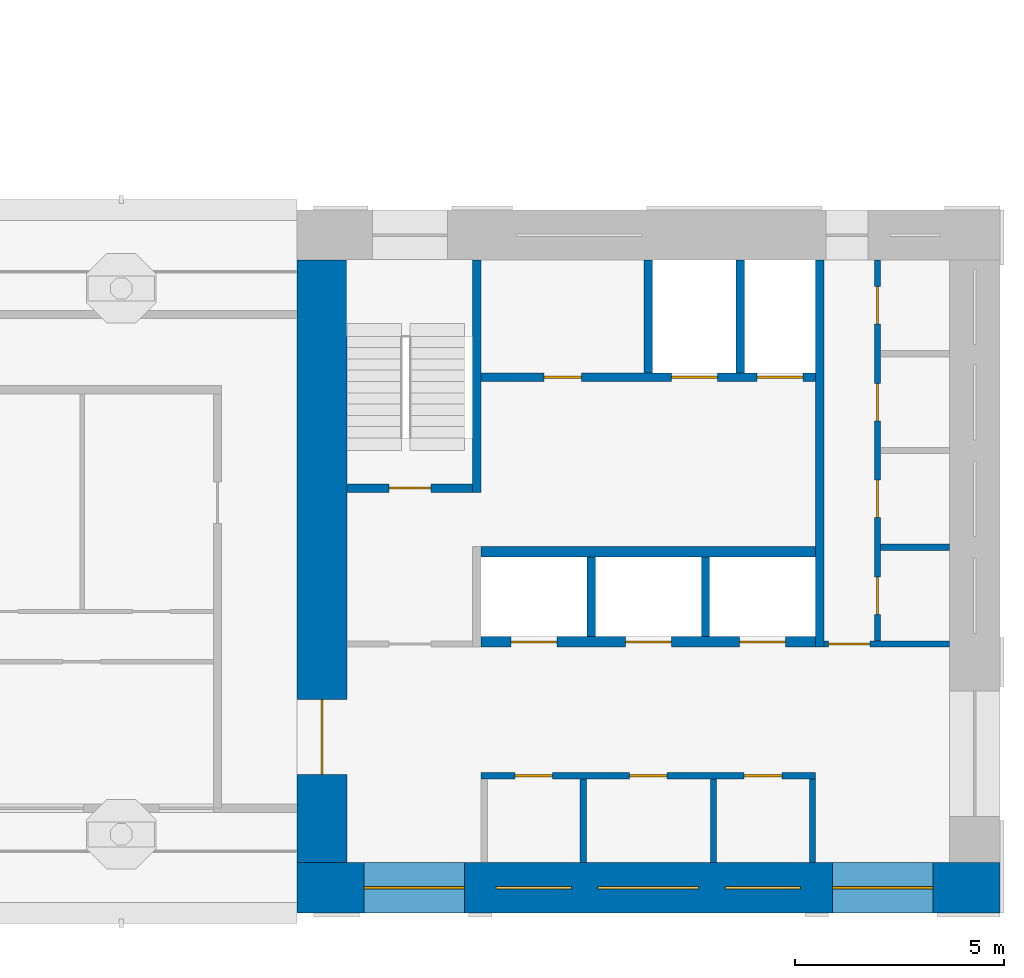
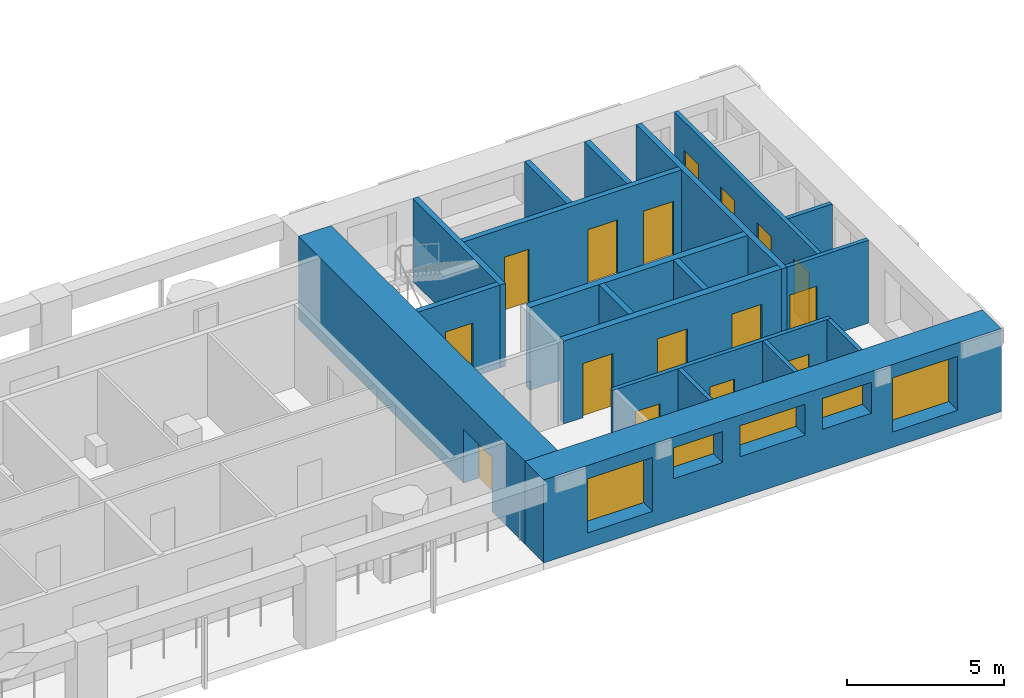
# One storey, part 4 of 12: 19 walls, 16 doors, 5 windows, 21 openings.
"""IFC4 building model written with IfcOpenShell, lengths in metres."""

from ifc_helpers import new_model, si_unit, direction, frame, frame_2d, origin, place, context, subcontext, project, spatial, rectangle, extrude, material, layer, layer_set, type_object, element, fill, save


model = new_model("IFC4")

# Units and contexts
model_context = context("Model", 3, precision=1e-05, world=origin(), true_north=direction((0.0, 1.0)))
body_context = subcontext(model_context, "Body", "Model", "MODEL_VIEW")
ifc_project = project(units=[si_unit("LENGTHUNIT", "METRE"), si_unit("AREAUNIT", "SQUARE_METRE"), si_unit("VOLUMEUNIT", "CUBIC_METRE"), si_unit("PLANEANGLEUNIT", "RADIAN"), si_unit("MASSUNIT", "GRAM", prefix="KILO")], contexts=[model_context])

# Site, building, storey
site_placement = place(None, origin())
site = spatial("IfcSite", under=ifc_project, at=site_placement, CompositionType="ELEMENT")
building_placement = place(site_placement, origin())
building = spatial("IfcBuilding", under=site, at=building_placement, Name="Vermilion Gate Residences", CompositionType="ELEMENT")
storey_placement = place(building_placement, frame((0.0, 0.0, 238.699951171875)))
storey = spatial("IfcBuildingStorey", under=building, at=storey_placement, Name="L62", CompositionType="ELEMENT", Elevation=238.699951171875)

# Walls
ifc_material_1 = material(Name="Masonry blockwork", Category="masonry")
ifc_layer_1 = layer(ifc_material_1, 0.14990234375)
ifc_layer_set_1 = layer_set([ifc_layer_1], Name="BLOCKWORK PARTITION 150 EI 120")
wall_type_1 = type_object("IfcWallType", Name="BLOCKWORK PARTITION 150 EI 120", PredefinedType="PARTITIONING", material=ifc_layer_set_1)
for number, where, z_axis, x_axis, name in (
    (1, (54.324951171875, 9.60009765625, 0.0), (0.0, 0.0, 1.0), (0.0, 1.0, 0.0), "Core room partition A62-RW-E"),
    (2, (48.844970703125, 9.60009765625, 0.0), (0.0, 0.0, 1.0), (0.0, 1.0, 0.0), "Core room partition A62-SR-P0"),
    (3, (51.955078125, 9.60009765625, 0.0), (0.0, 0.0, 1.0), (0.0, 1.0, 0.0), "Core room partition A62-SR-P1"),
):
    element("IfcWall", number, at=place(storey_placement, frame(where, z_axis=z_axis, x_axis=x_axis)), inside=storey, type_object=wall_type_1, Name=name, PredefinedType="PARTITIONING", context=body_context, shape_type="SweptSolid", body=[
        extrude(rectangle(XDim=2.0, YDim=0.14990234375, at=frame_2d((1.0, 0.0))), origin(), (0.0, 0.0, 1.0), 3.219970703125),
    ])

# Wall, openings, doors
wall_1_placement = place(storey_placement, frame((46.39990234375, 11.675048828125, 0.0), z_axis=(0.0, 0.0, 1.0), x_axis=(1.0, 0.0, 0.0)))
wall_1 = element("IfcWall", 4, at=wall_1_placement, inside=storey, type_object=wall_type_1, Name="Core room partition A62-LR-F", PredefinedType="PARTITIONING", context=body_context, shape_type="SweptSolid", body=[
    extrude(rectangle(XDim=8.0, YDim=0.14990234375, at=frame_2d((4.0, 0.0))), origin(), (0.0, 0.0, 1.0), 3.219970703125),
])
opening_1_placement = place(wall_1_placement, frame((0.81005859375, 0.0, 0.0)))
opening_1 = element("IfcOpeningElement", 5, at=opening_1_placement, cuts=wall_1, Name="Opening DK62002", PredefinedType="OPENING", context=body_context, shape_type="SweptSolid", body=[
    extrude(rectangle(XDim=0.89990234375, YDim=2.10009765625, at=frame_2d((0.449951171875, 1.050048828125))), frame((0.0, 0.0849609375, 0.0), z_axis=(0.0, -1.0, 0.0), x_axis=(1.0, 0.0, 0.0)), (0.0, 0.0, 1.0), 0.169921875),
])
opening_2_placement = place(wall_1_placement, frame((3.550048828125, 0.0, 0.0)))
opening_2 = element("IfcOpeningElement", 6, at=opening_2_placement, cuts=wall_1, Name="Opening DK62003", PredefinedType="OPENING", context=body_context, shape_type="SweptSolid", body=[
    extrude(rectangle(XDim=0.89990234375, YDim=2.10009765625, at=frame_2d((0.449951171875, 1.050048828125))), frame((0.0, 0.0849609375, 0.0), z_axis=(0.0, -1.0, 0.0), x_axis=(1.0, 0.0, 0.0)), (0.0, 0.0, 1.0), 0.169921875),
])
opening_3_placement = place(wall_1_placement, frame((6.2900390625, 0.0, 0.0)))
opening_3 = element("IfcOpeningElement", 7, at=opening_3_placement, cuts=wall_1, Name="Opening DK62004", PredefinedType="OPENING", context=body_context, shape_type="SweptSolid", body=[
    extrude(rectangle(XDim=0.89990234375, YDim=2.10009765625, at=frame_2d((0.449951171875, 1.050048828125))), frame((0.0, 0.0849609375, 0.0), z_axis=(0.0, -1.0, 0.0), x_axis=(1.0, 0.0, 0.0)), (0.0, 0.0, 1.0), 0.169921875),
])
ifc_material_2 = material(Name="Steel", Category="steel")
door_type_1 = type_object("IfcDoorType", Name="SERVICE ROOM DOOR FD60 900 X 2100", OperationType="SINGLE_SWING_LEFT", PredefinedType="DOOR", material=ifc_material_2)
door_1_placement = place(opening_1_placement, origin())
door_1 = element("IfcDoor", 8, at=door_1_placement, inside=storey, type_object=door_type_1, Name="Electrical room A62", OperationType="SINGLE_SWING_LEFT", OverallHeight=2.10009765625, OverallWidth=0.89990234375, PredefinedType="DOOR", context=body_context, shape_type="SweptSolid", body=[
    extrude(rectangle(XDim=0.89990234375, YDim=2.10009765625, at=frame_2d((0.449951171875, 1.050048828125))), frame((0.0, 0.02490234375, 0.0), z_axis=(0.0, -1.0, 0.0), x_axis=(1.0, 0.0, 0.0)), (0.0, 0.0, 1.0), 0.050048828125),
])
fill(opening_1, door_1)
door_2_placement = place(opening_2_placement, frame((0.89990234375, 0.0, 0.0), z_axis=(0.0, 0.0, 1.0), x_axis=(-1.0, 0.0, 0.0)))
door_2 = element("IfcDoor", 9, at=door_2_placement, inside=storey, type_object=door_type_1, Name="Communications room A62", OperationType="SINGLE_SWING_RIGHT", OverallHeight=2.10009765625, OverallWidth=0.89990234375, PredefinedType="DOOR", context=body_context, shape_type="SweptSolid", body=[
    extrude(rectangle(XDim=0.89990234375, YDim=2.10009765625, at=frame_2d((0.449951171875, 1.050048828125))), frame((0.0, 0.02490234375, 0.0), z_axis=(0.0, -1.0, 0.0), x_axis=(1.0, 0.0, 0.0)), (0.0, 0.0, 1.0), 0.050048828125),
])
fill(opening_2, door_2)
door_3_placement = place(opening_3_placement, frame((0.89990234375, 0.0, 0.0), z_axis=(0.0, 0.0, 1.0), x_axis=(-1.0, 0.0, 0.0)))
door_3 = element("IfcDoor", 10, at=door_3_placement, inside=storey, type_object=door_type_1, Name="Refuse room A62", OperationType="SINGLE_SWING_RIGHT", OverallHeight=2.10009765625, OverallWidth=0.89990234375, PredefinedType="DOOR", context=body_context, shape_type="SweptSolid", body=[
    extrude(rectangle(XDim=0.89990234375, YDim=2.10009765625, at=frame_2d((0.449951171875, 1.050048828125))), frame((0.0, 0.02490234375, 0.0), z_axis=(0.0, -1.0, 0.0), x_axis=(1.0, 0.0, 0.0)), (0.0, 0.0, 1.0), 0.050048828125),
])
fill(opening_3, door_3)

# Wall, opening, door
wall_2_placement = place(storey_placement, frame((54.60009765625, 14.824951171875, 0.0), z_axis=(0.0, 0.0, 1.0), x_axis=(1.0, 0.0, 0.0)))
wall_2 = element("IfcWall", 11, at=wall_2_placement, inside=storey, type_object=wall_type_1, Name="Core room partition A62-ES-S", PredefinedType="PARTITIONING", context=body_context, shape_type="SweptSolid", body=[
    extrude(rectangle(XDim=3.0, YDim=0.14990234375, at=frame_2d((1.5, 0.0))), origin(), (0.0, 0.0, 1.0), 3.219970703125),
])
opening_4_placement = place(wall_2_placement, frame((0.10009765625, 0.0, 0.0)))
opening_4 = element("IfcOpeningElement", 12, at=opening_4_placement, cuts=wall_2, Name="Opening DK62013", PredefinedType="OPENING", context=body_context, shape_type="SweptSolid", body=[
    extrude(rectangle(XDim=1.0, YDim=2.10009765625, at=frame_2d((0.5, 1.050048828125))), frame((0.0, 0.0849609375, 0.0), z_axis=(0.0, -1.0, 0.0), x_axis=(1.0, 0.0, 0.0)), (0.0, 0.0, 1.0), 0.169921875),
])
ifc_material_3 = material(Name="Steel", Category="steel")
door_type_2 = type_object("IfcDoorType", Name="FIRE DOOR FD60 1000 X 2100", OperationType="SINGLE_SWING_LEFT", PredefinedType="DOOR", material=ifc_material_3)
door_4_placement = place(opening_4_placement, frame((1.0, 0.0, 0.0), z_axis=(0.0, 0.0, 1.0), x_axis=(-1.0, 0.0, 0.0)))
door_4 = element("IfcDoor", 13, at=door_4_placement, inside=storey, type_object=door_type_2, Name="Service corridor door A62", OperationType="SINGLE_SWING_LEFT", OverallHeight=2.10009765625, OverallWidth=1.0, PredefinedType="DOOR", context=body_context, shape_type="SweptSolid", body=[
    extrude(rectangle(XDim=1.0, YDim=2.10009765625, at=frame_2d((0.5, 1.050048828125))), frame((0.0, 0.02490234375, 0.0), z_axis=(0.0, -1.0, 0.0), x_axis=(1.0, 0.0, 0.0)), (0.0, 0.0, 1.0), 0.050048828125),
])
fill(opening_4, door_4)

# Wall
wall_3_placement = place(storey_placement, frame((55.949951171875, 17.137451171875, 0.0), z_axis=(0.0, 0.0, 1.0), x_axis=(1.0, 0.0, 0.0)))
element("IfcWall", 14, at=wall_3_placement, inside=storey, type_object=wall_type_1, Name="Core room partition A62-ES-P0", PredefinedType="PARTITIONING", context=body_context, shape_type="SweptSolid", body=[
    extrude(rectangle(XDim=1.650146484375, YDim=0.14990234375, at=frame_2d((0.8251953125, 0.0))), origin(), (0.0, 0.0, 1.0), 3.219970703125),
])

# Wall, openings, doors
wall_4_placement = place(storey_placement, frame((55.875, 14.89990234375, 0.0), z_axis=(0.0, 0.0, 1.0), x_axis=(0.0, 1.0, 0.0)))
wall_4 = element("IfcWall", 15, at=wall_4_placement, inside=storey, type_object=wall_type_1, Name="Core room partition A62-ES-W", PredefinedType="PARTITIONING", context=body_context, shape_type="SweptSolid", body=[
    extrude(rectangle(XDim=9.10009765625, YDim=0.14990234375, at=frame_2d((4.550048828125, 0.0))), origin(), (0.0, 0.0, 1.0), 3.219970703125),
])
opening_5_placement = place(wall_4_placement, frame((0.63134765625, 0.0, 0.0)))
opening_5 = element("IfcOpeningElement", 16, at=opening_5_placement, cuts=wall_4, Name="Opening DK62014", PredefinedType="OPENING", context=body_context, shape_type="SweptSolid", body=[
    extrude(rectangle(XDim=0.89990234375, YDim=2.10009765625, at=frame_2d((0.449951171875, 1.050048828125))), frame((0.0, 0.0849609375, 0.0), z_axis=(0.0, -1.0, 0.0), x_axis=(1.0, 0.0, 0.0)), (0.0, 0.0, 1.0), 0.169921875),
])
opening_6_placement = place(wall_4_placement, frame((2.94384765625, 0.0, 0.0)))
opening_6 = element("IfcOpeningElement", 17, at=opening_6_placement, cuts=wall_4, Name="Opening DK62015", PredefinedType="OPENING", context=body_context, shape_type="SweptSolid", body=[
    extrude(rectangle(XDim=0.89990234375, YDim=2.10009765625, at=frame_2d((0.449951171875, 1.050048828125))), frame((0.0, 0.0849609375, 0.0), z_axis=(0.0, -1.0, 0.0), x_axis=(1.0, 0.0, 0.0)), (0.0, 0.0, 1.0), 0.169921875),
])
opening_7_placement = place(wall_4_placement, frame((5.25634765625, 0.0, 0.0)))
opening_7 = element("IfcOpeningElement", 18, at=opening_7_placement, cuts=wall_4, Name="Opening DK62016", PredefinedType="OPENING", context=body_context, shape_type="SweptSolid", body=[
    extrude(rectangle(XDim=0.89990234375, YDim=2.10009765625, at=frame_2d((0.449951171875, 1.050048828125))), frame((0.0, 0.0849609375, 0.0), z_axis=(0.0, -1.0, 0.0), x_axis=(1.0, 0.0, 0.0)), (0.0, 0.0, 1.0), 0.169921875),
])
opening_8_placement = place(wall_4_placement, frame((7.56884765625, 0.0, 0.0)))
opening_8 = element("IfcOpeningElement", 19, at=opening_8_placement, cuts=wall_4, Name="Opening DK62017", PredefinedType="OPENING", context=body_context, shape_type="SweptSolid", body=[
    extrude(rectangle(XDim=0.89990234375, YDim=2.10009765625, at=frame_2d((0.449951171875, 1.050048828125))), frame((0.0, 0.0849609375, 0.0), z_axis=(0.0, -1.0, 0.0), x_axis=(1.0, 0.0, 0.0)), (0.0, 0.0, 1.0), 0.169921875),
])
door_5_placement = place(opening_5_placement, frame((0.89990234375, 0.0, 0.0), z_axis=(0.0, 0.0, 1.0), x_axis=(-1.0, 0.0, 0.0)))
door_5 = element("IfcDoor", 20, at=door_5_placement, inside=storey, type_object=door_type_1, Name="Storage room A62", OperationType="SINGLE_SWING_RIGHT", OverallHeight=2.10009765625, OverallWidth=0.89990234375, PredefinedType="DOOR", context=body_context, shape_type="SweptSolid", body=[
    extrude(rectangle(XDim=0.89990234375, YDim=2.10009765625, at=frame_2d((0.449951171875, 1.050048828125))), frame((0.0, 0.02490234375, 0.0), z_axis=(0.0, -1.0, 0.0), x_axis=(1.0, 0.0, 0.0)), (0.0, 0.0, 1.0), 0.050048828125),
])
fill(opening_5, door_5)
door_6_placement = place(opening_6_placement, frame((0.89990234375, 0.0, 0.0), z_axis=(0.0, 0.0, 1.0), x_axis=(-1.0, 0.0, 0.0)))
door_6 = element("IfcDoor", 21, at=door_6_placement, inside=storey, type_object=door_type_1, Name="Refuse room A62", OperationType="SINGLE_SWING_RIGHT", OverallHeight=2.10009765625, OverallWidth=0.89990234375, PredefinedType="DOOR", context=body_context, shape_type="SweptSolid", body=[
    extrude(rectangle(XDim=0.89990234375, YDim=2.10009765625, at=frame_2d((0.449951171875, 1.050048828125))), frame((0.0, 0.02490234375, 0.0), z_axis=(0.0, -1.0, 0.0), x_axis=(1.0, 0.0, 0.0)), (0.0, 0.0, 1.0), 0.050048828125),
])
fill(opening_6, door_6)
door_7_placement = place(opening_7_placement, frame((0.89990234375, 0.0, 0.0), z_axis=(0.0, 0.0, 1.0), x_axis=(-1.0, 0.0, 0.0)))
door_7 = element("IfcDoor", 22, at=door_7_placement, inside=storey, type_object=door_type_1, Name="Parcel room A62", OperationType="SINGLE_SWING_RIGHT", OverallHeight=2.10009765625, OverallWidth=0.89990234375, PredefinedType="DOOR", context=body_context, shape_type="SweptSolid", body=[
    extrude(rectangle(XDim=0.89990234375, YDim=2.10009765625, at=frame_2d((0.449951171875, 1.050048828125))), frame((0.0, 0.02490234375, 0.0), z_axis=(0.0, -1.0, 0.0), x_axis=(1.0, 0.0, 0.0)), (0.0, 0.0, 1.0), 0.050048828125),
])
fill(opening_7, door_7)
door_8_placement = place(opening_8_placement, frame((0.89990234375, 0.0, 0.0), z_axis=(0.0, 0.0, 1.0), x_axis=(-1.0, 0.0, 0.0)))
door_8 = element("IfcDoor", 23, at=door_8_placement, inside=storey, type_object=door_type_1, Name="Cleaner's store A62", OperationType="SINGLE_SWING_RIGHT", OverallHeight=2.10009765625, OverallWidth=0.89990234375, PredefinedType="DOOR", context=body_context, shape_type="SweptSolid", body=[
    extrude(rectangle(XDim=0.89990234375, YDim=2.10009765625, at=frame_2d((0.449951171875, 1.050048828125))), frame((0.0, 0.02490234375, 0.0), z_axis=(0.0, -1.0, 0.0), x_axis=(1.0, 0.0, 0.0)), (0.0, 0.0, 1.0), 0.050048828125),
])
fill(opening_8, door_8)

# Walls
ifc_material_4 = material(Name="Concrete C60", Category="concrete")
ifc_layer_2 = layer(ifc_material_4, 0.199951171875)
ifc_layer_set_2 = layer_set([ifc_layer_2], Name="RC CORE INTERNAL WALL 200 C60")
wall_type_2 = type_object("IfcWallType", Name="RC CORE INTERNAL WALL 200 C60", PredefinedType="SHEAR", material=ifc_layer_set_2)
for number, where, z_axis, x_axis, name in (
    (24, (49.033447265625, 15.0, 0.0), (0.0, 0.0, 1.0), (0.0, 1.0, 0.0), "Core internal wall A62-HR-D1"),
    (25, (51.7666015625, 15.0, 0.0), (0.0, 0.0, 1.0), (0.0, 1.0, 0.0), "Core internal wall A62-HR-D2"),
):
    element("IfcWall", number, at=place(storey_placement, frame(where, z_axis=z_axis, x_axis=x_axis)), inside=storey, type_object=wall_type_2, Name=name, PredefinedType="SHEAR", context=body_context, shape_type="SweptSolid", body=[
        extrude(rectangle(XDim=1.89990234375, YDim=0.199951171875, at=frame_2d((0.949951171875, 0.0))), origin(), (0.0, 0.0, 1.0), 3.219970703125),
    ])
for number, where, z_axis, x_axis, name in (
    (26, (50.39990234375, 21.300048828125, 0.0), (0.0, 0.0, 1.0), (0.0, 1.0, 0.0), "Core internal wall A62-FF-D0"),
    (27, (52.60009765625, 21.300048828125, 0.0), (0.0, 0.0, 1.0), (0.0, 1.0, 0.0), "Core internal wall A62-FF-D1"),
):
    element("IfcWall", number, at=place(storey_placement, frame(where, z_axis=z_axis, x_axis=x_axis)), inside=storey, type_object=wall_type_2, Name=name, PredefinedType="SHEAR", context=body_context, shape_type="SweptSolid", body=[
        extrude(rectangle(XDim=2.699951171875, YDim=0.199951171875, at=frame_2d((1.35009765625, 0.0))), origin(), (0.0, 0.0, 1.0), 3.219970703125),
    ])

# Wall, openings, doors
wall_5_placement = place(storey_placement, frame((46.39990234375, 21.199951171875, 0.0), z_axis=(0.0, 0.0, 1.0), x_axis=(1.0, 0.0, 0.0)))
wall_5 = element("IfcWall", 28, at=wall_5_placement, inside=storey, type_object=wall_type_2, Name="Core internal wall A62-FF-F", PredefinedType="SHEAR", context=body_context, shape_type="SweptSolid", body=[
    extrude(rectangle(XDim=8.0, YDim=0.199951171875, at=frame_2d((4.0, 0.0))), origin(), (0.0, 0.0, 1.0), 3.219970703125),
])
opening_9_placement = place(wall_5_placement, frame((1.5, 0.0, 0.0)))
opening_9 = element("IfcOpeningElement", 29, at=opening_9_placement, cuts=wall_5, Name="Opening DK62008", PredefinedType="OPENING", context=body_context, shape_type="SweptSolid", body=[
    extrude(rectangle(XDim=0.89990234375, YDim=2.10009765625, at=frame_2d((0.449951171875, 1.050048828125))), frame((0.0, 0.10986328125, 0.0), z_axis=(0.0, -1.0, 0.0), x_axis=(1.0, 0.0, 0.0)), (0.0, 0.0, 1.0), 0.219970703125),
])
opening_10_placement = place(wall_5_placement, frame((4.550048828125, 0.0, 0.0)))
opening_10 = element("IfcOpeningElement", 30, at=opening_10_placement, cuts=wall_5, Name="Opening LD", PredefinedType="OPENING", context=body_context, shape_type="SweptSolid", body=[
    extrude(rectangle(XDim=1.10009765625, YDim=2.10009765625, at=frame_2d((0.550048828125, 1.050048828125))), frame((0.0, 0.10986328125, 0.0), z_axis=(0.0, -1.0, 0.0), x_axis=(1.0, 0.0, 0.0)), (0.0, 0.0, 1.0), 0.219970703125),
])
opening_11_placement = place(wall_5_placement, frame((6.60009765625, 0.0, 0.0)))
opening_11 = element("IfcOpeningElement", 31, at=opening_11_placement, cuts=wall_5, Name="Opening LD", PredefinedType="OPENING", context=body_context, shape_type="SweptSolid", body=[
    extrude(rectangle(XDim=1.10009765625, YDim=2.10009765625, at=frame_2d((0.550048828125, 1.050048828125))), frame((0.0, 0.10986328125, 0.0), z_axis=(0.0, -1.0, 0.0), x_axis=(1.0, 0.0, 0.0)), (0.0, 0.0, 1.0), 0.219970703125),
])
ifc_material_5 = material(Name="Stainless steel", Category="steel")
door_type_3 = type_object("IfcDoorType", Name="LIFT LANDING DOOR E60 1100 X 2100", OperationType="DOUBLE_DOOR_SLIDING", PredefinedType="DOOR", material=ifc_material_5)
door_9_placement = place(opening_10_placement, origin())
door_9 = element("IfcDoor", 32, at=door_9_placement, inside=storey, type_object=door_type_3, Name="Lift landing door LFA1", OperationType="DOUBLE_DOOR_SLIDING", OverallHeight=2.10009765625, OverallWidth=1.10009765625, PredefinedType="DOOR", context=body_context, shape_type="SweptSolid", body=[
    extrude(rectangle(XDim=1.10009765625, YDim=2.10009765625, at=frame_2d((0.550048828125, 1.050048828125))), frame((0.0, 0.02490234375, 0.0), z_axis=(0.0, -1.0, 0.0), x_axis=(1.0, 0.0, 0.0)), (0.0, 0.0, 1.0), 0.050048828125),
])
fill(opening_10, door_9)
door_10_placement = place(opening_11_placement, origin())
door_10 = element("IfcDoor", 33, at=door_10_placement, inside=storey, type_object=door_type_3, Name="Lift landing door LCA1", OperationType="DOUBLE_DOOR_SLIDING", OverallHeight=2.10009765625, OverallWidth=1.10009765625, PredefinedType="DOOR", context=body_context, shape_type="SweptSolid", body=[
    extrude(rectangle(XDim=1.10009765625, YDim=2.10009765625, at=frame_2d((0.550048828125, 1.050048828125))), frame((0.0, 0.02490234375, 0.0), z_axis=(0.0, -1.0, 0.0), x_axis=(1.0, 0.0, 0.0)), (0.0, 0.0, 1.0), 0.050048828125),
])
fill(opening_11, door_10)
door_11_placement = place(opening_9_placement, origin())
door_11 = element("IfcDoor", 34, at=door_11_placement, inside=storey, type_object=door_type_1, Name="Electrical riser A62", OperationType="SINGLE_SWING_LEFT", OverallHeight=2.10009765625, OverallWidth=0.89990234375, PredefinedType="DOOR", context=body_context, shape_type="SweptSolid", body=[
    extrude(rectangle(XDim=0.89990234375, YDim=2.10009765625, at=frame_2d((0.449951171875, 1.050048828125))), frame((0.0, 0.02490234375, 0.0), z_axis=(0.0, -1.0, 0.0), x_axis=(1.0, 0.0, 0.0)), (0.0, 0.0, 1.0), 0.050048828125),
])
fill(opening_9, door_11)

# Wall
wall_6_placement = place(storey_placement, frame((46.300048828125, 18.449951171875, 0.0), z_axis=(0.0, 0.0, 1.0), x_axis=(0.0, 1.0, 0.0)))
element("IfcWall", 35, at=wall_6_placement, inside=storey, type_object=wall_type_2, Name="Core internal wall A62-WDIV2", PredefinedType="SHEAR", context=body_context, shape_type="SweptSolid", body=[
    extrude(rectangle(XDim=5.550048828125, YDim=0.199951171875, at=frame_2d((2.77490234375, 0.0))), origin(), (0.0, 0.0, 1.0), 3.219970703125),
])

# Wall, opening, door
wall_7_placement = place(storey_placement, frame((43.199951171875, 18.550048828125, 0.0), z_axis=(0.0, 0.0, 1.0), x_axis=(1.0, 0.0, 0.0)))
wall_7 = element("IfcWall", 36, at=wall_7_placement, inside=storey, type_object=wall_type_2, Name="Core internal wall A62-STW-S", PredefinedType="SHEAR", context=body_context, shape_type="SweptSolid", body=[
    extrude(rectangle(XDim=3.0, YDim=0.199951171875, at=frame_2d((1.5, 0.0))), origin(), (0.0, 0.0, 1.0), 3.219970703125),
])
opening_12_placement = place(wall_7_placement, frame((1.0, 0.0, 0.0)))
opening_12 = element("IfcOpeningElement", 37, at=opening_12_placement, cuts=wall_7, Name="Opening DK62012", PredefinedType="OPENING", context=body_context, shape_type="SweptSolid", body=[
    extrude(rectangle(XDim=1.0, YDim=2.10009765625, at=frame_2d((0.5, 1.050048828125))), frame((0.0, 0.10986328125, 0.0), z_axis=(0.0, -1.0, 0.0), x_axis=(1.0, 0.0, 0.0)), (0.0, 0.0, 1.0), 0.219970703125),
])
door_12_placement = place(opening_12_placement, origin())
door_12 = element("IfcDoor", 38, at=door_12_placement, inside=storey, type_object=door_type_2, Name="Stair door A62", OperationType="SINGLE_SWING_LEFT", OverallHeight=2.10009765625, OverallWidth=1.0, PredefinedType="DOOR", context=body_context, shape_type="SweptSolid", body=[
    extrude(rectangle(XDim=1.0, YDim=2.10009765625, at=frame_2d((0.5, 1.050048828125))), frame((0.0, 0.02490234375, 0.0), z_axis=(0.0, -1.0, 0.0), x_axis=(1.0, 0.0, 0.0)), (0.0, 0.0, 1.0), 0.050048828125),
])
fill(opening_12, door_12)

# Wall
wall_8_placement = place(storey_placement, frame((54.5, 14.75, 0.0), z_axis=(0.0, 0.0, 1.0), x_axis=(0.0, 1.0, 0.0)))
element("IfcWall", 39, at=wall_8_placement, inside=storey, type_object=wall_type_2, Name="Core internal wall A62-EDIV", PredefinedType="SHEAR", context=body_context, shape_type="SweptSolid", body=[
    extrude(rectangle(XDim=9.25, YDim=0.199951171875, at=frame_2d((4.625, 0.0))), origin(), (0.0, 0.0, 1.0), 3.219970703125),
])

# Wall, opening, door
ifc_material_6 = material(Name="Concrete C50", Category="concrete")
ifc_layer_3 = layer(ifc_material_6, 1.199951171875)
ifc_layer_set_3 = layer_set([ifc_layer_3], Name="RC CORE WALL 1200 C50")
wall_type_3 = type_object("IfcWallType", Name="RC CORE WALL 1200 C50", PredefinedType="SHEAR", material=ifc_layer_set_3)
wall_9_placement = place(storey_placement, frame((42.60009765625, 9.60009765625, 0.0), z_axis=(0.0, 0.0, 1.0), x_axis=(0.0, 1.0, 0.0)))
wall_9 = element("IfcWall", 40, at=wall_9_placement, inside=storey, type_object=wall_type_3, Name="Core wall A62-OUT-FR", PredefinedType="SHEAR", context=body_context, shape_type="SweptSolid", body=[
    extrude(rectangle(XDim=14.39990234375, YDim=1.199951171875, at=frame_2d((7.199951171875, 0.0))), origin(), (0.0, 0.0, 1.0), 3.219970703125),
])
opening_13_placement = place(wall_9_placement, frame((2.10009765625, 0.0, 0.0)))
opening_13 = element("IfcOpeningElement", 41, at=opening_13_placement, cuts=wall_9, Name="Opening DK62001", PredefinedType="OPENING", context=body_context, shape_type="SweptSolid", body=[
    extrude(rectangle(XDim=1.800048828125, YDim=2.10009765625, at=frame_2d((0.89990234375, 1.050048828125))), frame((0.0, 0.60986328125, 0.0), z_axis=(0.0, -1.0, 0.0), x_axis=(1.0, 0.0, 0.0)), (0.0, 0.0, 1.0), 1.219970703125),
])
ifc_material_7 = material(Name="Steel", Category="steel")
door_type_4 = type_object("IfcDoorType", Name="CORE LOBBY DOOR FD60 1800 X 2100", OperationType="DOUBLE_DOOR_SINGLE_SWING", PredefinedType="DOOR", material=ifc_material_7)
door_13_placement = place(opening_13_placement, frame((1.800048828125, 0.0, 0.0), z_axis=(0.0, 0.0, 1.0), x_axis=(-1.0, 0.0, 0.0)))
door_13 = element("IfcDoor", 42, at=door_13_placement, inside=storey, type_object=door_type_4, Name="Core lobby door A62", OperationType="DOUBLE_DOOR_SINGLE_SWING", OverallHeight=2.10009765625, OverallWidth=1.800048828125, PredefinedType="DOOR", context=body_context, shape_type="SweptSolid", body=[
    extrude(rectangle(XDim=1.800048828125, YDim=2.10009765625, at=frame_2d((0.89990234375, 1.050048828125))), frame((0.0, 0.02490234375, 0.0), z_axis=(0.0, -1.0, 0.0), x_axis=(1.0, 0.0, 0.0)), (0.0, 0.0, 1.0), 0.050048828125),
])
fill(opening_13, door_13)

# Wall, openings, windows
ifc_material_8 = material(Name="Concrete C50 red-oxide pigmented", Category="concrete")
ifc_layer_4 = layer(ifc_material_8, 1.199951171875)
ifc_layer_set_4 = layer_set([ifc_layer_4], Name="RC CORE WALL 1200 C50 RED OXIDE")
wall_type_4 = type_object("IfcWallType", Name="RC CORE WALL 1200 C50 RED OXIDE", PredefinedType="SHEAR", material=ifc_layer_set_4)
wall_10_placement = place(storey_placement, frame((42.0, 9.0, 0.0), z_axis=(0.0, 0.0, 1.0), x_axis=(1.0, 0.0, 0.0)))
wall_10 = element("IfcWall", 43, at=wall_10_placement, inside=storey, type_object=wall_type_4, Name="Core wall A62-OUT-B0", PredefinedType="SHEAR", context=body_context, shape_type="SweptSolid", body=[
    extrude(rectangle(XDim=16.800048828125, YDim=1.199951171875, at=frame_2d((8.39990234375, 0.0))), origin(), (0.0, 0.0, 1.0), 3.219970703125),
])
opening_14_placement = place(wall_10_placement, frame((1.60009765625, 0.0, 0.60009765625)))
opening_14 = element("IfcOpeningElement", 44, at=opening_14_placement, cuts=wall_10, Name="Opening WKA6201", PredefinedType="OPENING", context=body_context, shape_type="SweptSolid", body=[
    extrude(rectangle(XDim=2.39990234375, YDim=2.10009765625, at=frame_2d((1.199951171875, 1.050048828125))), frame((0.0, 0.60986328125, 0.0), z_axis=(0.0, -1.0, 0.0), x_axis=(1.0, 0.0, 0.0)), (0.0, 0.0, 1.0), 1.219970703125),
])
opening_15_placement = place(wall_10_placement, frame((4.760009765625, 0.0, 1.60009765625)))
opening_15 = element("IfcOpeningElement", 45, at=opening_15_placement, cuts=wall_10, Name="Opening WKA6202", PredefinedType="OPENING", context=body_context, shape_type="SweptSolid", body=[
    extrude(rectangle(XDim=1.800048828125, YDim=1.199951171875, at=frame_2d((0.89990234375, 0.60009765625))), frame((0.0, 0.60986328125, 0.0), z_axis=(0.0, -1.0, 0.0), x_axis=(1.0, 0.0, 0.0)), (0.0, 0.0, 1.0), 1.219970703125),
])
opening_16_placement = place(wall_10_placement, frame((7.199951171875, 0.0, 1.60009765625)))
opening_16 = element("IfcOpeningElement", 46, at=opening_16_placement, cuts=wall_10, Name="Opening WKA6203", PredefinedType="OPENING", context=body_context, shape_type="SweptSolid", body=[
    extrude(rectangle(XDim=2.39990234375, YDim=1.199951171875, at=frame_2d((1.199951171875, 0.60009765625))), frame((0.0, 0.60986328125, 0.0), z_axis=(0.0, -1.0, 0.0), x_axis=(1.0, 0.0, 0.0)), (0.0, 0.0, 1.0), 1.219970703125),
])
opening_17_placement = place(wall_10_placement, frame((10.239990234375, 0.0, 1.60009765625)))
opening_17 = element("IfcOpeningElement", 47, at=opening_17_placement, cuts=wall_10, Name="Opening WKA6204", PredefinedType="OPENING", context=body_context, shape_type="SweptSolid", body=[
    extrude(rectangle(XDim=1.800048828125, YDim=1.199951171875, at=frame_2d((0.89990234375, 0.60009765625))), frame((0.0, 0.60986328125, 0.0), z_axis=(0.0, -1.0, 0.0), x_axis=(1.0, 0.0, 0.0)), (0.0, 0.0, 1.0), 1.219970703125),
])
opening_18_placement = place(wall_10_placement, frame((12.800048828125, 0.0, 0.60009765625)))
opening_18 = element("IfcOpeningElement", 48, at=opening_18_placement, cuts=wall_10, Name="Opening WKA6205", PredefinedType="OPENING", context=body_context, shape_type="SweptSolid", body=[
    extrude(rectangle(XDim=2.39990234375, YDim=2.10009765625, at=frame_2d((1.199951171875, 1.050048828125))), frame((0.0, 0.60986328125, 0.0), z_axis=(0.0, -1.0, 0.0), x_axis=(1.0, 0.0, 0.0)), (0.0, 0.0, 1.0), 1.219970703125),
])
ifc_material_9 = material(Name="Aluminium and clear glass", Category="aluminium")
window_type_1 = type_object("IfcWindowType", Name="CORE LOBBY WINDOW 2400 X 2100", PartitioningType="SINGLE_PANEL", PredefinedType="WINDOW", material=ifc_material_9)
window_1_placement = place(opening_14_placement, origin())
window_1 = element("IfcWindow", 49, at=window_1_placement, inside=storey, type_object=window_type_1, Name="Core lobby window", OverallHeight=2.10009765625, OverallWidth=2.39990234375, PartitioningType="SINGLE_PANEL", PredefinedType="WINDOW", context=body_context, shape_type="SweptSolid", body=[
    extrude(rectangle(XDim=2.39990234375, YDim=2.10009765625, at=frame_2d((1.199951171875, 1.050048828125))), frame((0.0, 0.030029296875, 0.0), z_axis=(0.0, -1.0, 0.0), x_axis=(1.0, 0.0, 0.0)), (0.0, 0.0, 1.0), 0.06005859375),
])
fill(opening_14, window_1)
window_2_placement = place(opening_18_placement, origin())
window_2 = element("IfcWindow", 50, at=window_2_placement, inside=storey, type_object=window_type_1, Name="Core lobby window", OverallHeight=2.10009765625, OverallWidth=2.39990234375, PartitioningType="SINGLE_PANEL", PredefinedType="WINDOW", context=body_context, shape_type="SweptSolid", body=[
    extrude(rectangle(XDim=2.39990234375, YDim=2.10009765625, at=frame_2d((1.199951171875, 1.050048828125))), frame((0.0, 0.030029296875, 0.0), z_axis=(0.0, -1.0, 0.0), x_axis=(1.0, 0.0, 0.0)), (0.0, 0.0, 1.0), 0.06005859375),
])
fill(opening_18, window_2)
ifc_material_10 = material(Name="Aluminium frame with louvre blades", Category="aluminium")
window_type_2 = type_object("IfcWindowType", Name="CORE LOUVRE 1800 X 1200", PartitioningType="SINGLE_PANEL", PredefinedType="WINDOW", material=ifc_material_10)
window_3_placement = place(opening_15_placement, origin())
window_3 = element("IfcWindow", 51, at=window_3_placement, inside=storey, type_object=window_type_2, Name="Core louvre", OverallHeight=1.199951171875, OverallWidth=1.800048828125, PartitioningType="SINGLE_PANEL", PredefinedType="WINDOW", context=body_context, shape_type="SweptSolid", body=[
    extrude(rectangle(XDim=1.800048828125, YDim=1.199951171875, at=frame_2d((0.89990234375, 0.60009765625))), frame((0.0, 0.030029296875, 0.0), z_axis=(0.0, -1.0, 0.0), x_axis=(1.0, 0.0, 0.0)), (0.0, 0.0, 1.0), 0.06005859375),
])
fill(opening_15, window_3)
window_4_placement = place(opening_17_placement, origin())
window_4 = element("IfcWindow", 52, at=window_4_placement, inside=storey, type_object=window_type_2, Name="Core louvre", OverallHeight=1.199951171875, OverallWidth=1.800048828125, PartitioningType="SINGLE_PANEL", PredefinedType="WINDOW", context=body_context, shape_type="SweptSolid", body=[
    extrude(rectangle(XDim=1.800048828125, YDim=1.199951171875, at=frame_2d((0.89990234375, 0.60009765625))), frame((0.0, 0.030029296875, 0.0), z_axis=(0.0, -1.0, 0.0), x_axis=(1.0, 0.0, 0.0)), (0.0, 0.0, 1.0), 0.06005859375),
])
fill(opening_17, window_4)
ifc_material_11 = material(Name="Aluminium frame with louvre blades", Category="aluminium")
window_type_3 = type_object("IfcWindowType", Name="CORE LOUVRE 2400 X 1200", PartitioningType="SINGLE_PANEL", PredefinedType="WINDOW", material=ifc_material_11)
window_5_placement = place(opening_16_placement, origin())
window_5 = element("IfcWindow", 53, at=window_5_placement, inside=storey, type_object=window_type_3, Name="Core louvre", OverallHeight=1.199951171875, OverallWidth=2.39990234375, PartitioningType="SINGLE_PANEL", PredefinedType="WINDOW", context=body_context, shape_type="SweptSolid", body=[
    extrude(rectangle(XDim=2.39990234375, YDim=1.199951171875, at=frame_2d((1.199951171875, 0.60009765625))), frame((0.0, 0.030029296875, 0.0), z_axis=(0.0, -1.0, 0.0), x_axis=(1.0, 0.0, 0.0)), (0.0, 0.0, 1.0), 0.06005859375),
])
fill(opening_16, window_5)

# Wall, openings, doors
ifc_material_12 = material(Name="Concrete C60", Category="concrete")
ifc_layer_5 = layer(ifc_material_12, 0.25)
ifc_layer_set_5 = layer_set([ifc_layer_5], Name="RC LIFT SHAFT WALL 250 C60")
wall_type_5 = type_object("IfcWallType", Name="RC LIFT SHAFT WALL 250 C60", PredefinedType="SHEAR", material=ifc_layer_set_5)
wall_11_placement = place(storey_placement, frame((46.39990234375, 14.875, 0.0), z_axis=(0.0, 0.0, 1.0), x_axis=(1.0, 0.0, 0.0)))
wall_11 = element("IfcWall", 54, at=wall_11_placement, inside=storey, type_object=wall_type_5, Name="Lift shaft wall A62-HR-F", PredefinedType="SHEAR", context=body_context, shape_type="SweptSolid", body=[
    extrude(rectangle(XDim=8.0, YDim=0.25, at=frame_2d((4.0, 0.0))), origin(), (0.0, 0.0, 1.0), 3.219970703125),
])
opening_19_placement = place(wall_11_placement, frame((0.716552734375, 0.0, 0.0)))
opening_19 = element("IfcOpeningElement", 55, at=opening_19_placement, cuts=wall_11, Name="Opening LD", PredefinedType="OPENING", context=body_context, shape_type="SweptSolid", body=[
    extrude(rectangle(XDim=1.10009765625, YDim=2.10009765625, at=frame_2d((0.550048828125, 1.050048828125))), frame((0.0, 0.135009765625, 0.0), z_axis=(0.0, -1.0, 0.0), x_axis=(1.0, 0.0, 0.0)), (0.0, 0.0, 1.0), 0.27001953125),
])
opening_20_placement = place(wall_11_placement, frame((3.449951171875, 0.0, 0.0)))
opening_20 = element("IfcOpeningElement", 56, at=opening_20_placement, cuts=wall_11, Name="Opening LD", PredefinedType="OPENING", context=body_context, shape_type="SweptSolid", body=[
    extrude(rectangle(XDim=1.10009765625, YDim=2.10009765625, at=frame_2d((0.550048828125, 1.050048828125))), frame((0.0, 0.135009765625, 0.0), z_axis=(0.0, -1.0, 0.0), x_axis=(1.0, 0.0, 0.0)), (0.0, 0.0, 1.0), 0.27001953125),
])
opening_21_placement = place(wall_11_placement, frame((6.183349609375, 0.0, 0.0)))
opening_21 = element("IfcOpeningElement", 57, at=opening_21_placement, cuts=wall_11, Name="Opening LD", PredefinedType="OPENING", context=body_context, shape_type="SweptSolid", body=[
    extrude(rectangle(XDim=1.10009765625, YDim=2.10009765625, at=frame_2d((0.550048828125, 1.050048828125))), frame((0.0, 0.135009765625, 0.0), z_axis=(0.0, -1.0, 0.0), x_axis=(1.0, 0.0, 0.0)), (0.0, 0.0, 1.0), 0.27001953125),
])
door_14_placement = place(opening_19_placement, origin())
door_14 = element("IfcDoor", 58, at=door_14_placement, inside=storey, type_object=door_type_3, Name="Lift landing door HRA1", OperationType="DOUBLE_DOOR_SLIDING", OverallHeight=2.10009765625, OverallWidth=1.10009765625, PredefinedType="DOOR", context=body_context, shape_type="SweptSolid", body=[
    extrude(rectangle(XDim=1.10009765625, YDim=2.10009765625, at=frame_2d((0.550048828125, 1.050048828125))), frame((0.0, 0.02490234375, 0.0), z_axis=(0.0, -1.0, 0.0), x_axis=(1.0, 0.0, 0.0)), (0.0, 0.0, 1.0), 0.050048828125),
])
fill(opening_19, door_14)
door_15_placement = place(opening_20_placement, origin())
door_15 = element("IfcDoor", 59, at=door_15_placement, inside=storey, type_object=door_type_3, Name="Lift landing door HRA2", OperationType="DOUBLE_DOOR_SLIDING", OverallHeight=2.10009765625, OverallWidth=1.10009765625, PredefinedType="DOOR", context=body_context, shape_type="SweptSolid", body=[
    extrude(rectangle(XDim=1.10009765625, YDim=2.10009765625, at=frame_2d((0.550048828125, 1.050048828125))), frame((0.0, 0.02490234375, 0.0), z_axis=(0.0, -1.0, 0.0), x_axis=(1.0, 0.0, 0.0)), (0.0, 0.0, 1.0), 0.050048828125),
])
fill(opening_20, door_15)
door_16_placement = place(opening_21_placement, origin())
door_16 = element("IfcDoor", 60, at=door_16_placement, inside=storey, type_object=door_type_3, Name="Lift landing door HRA3", OperationType="DOUBLE_DOOR_SLIDING", OverallHeight=2.10009765625, OverallWidth=1.10009765625, PredefinedType="DOOR", context=body_context, shape_type="SweptSolid", body=[
    extrude(rectangle(XDim=1.10009765625, YDim=2.10009765625, at=frame_2d((0.550048828125, 1.050048828125))), frame((0.0, 0.02490234375, 0.0), z_axis=(0.0, -1.0, 0.0), x_axis=(1.0, 0.0, 0.0)), (0.0, 0.0, 1.0), 0.050048828125),
])
fill(opening_21, door_16)

# Wall
wall_12_placement = place(storey_placement, frame((46.39990234375, 17.02490234375, 0.0), z_axis=(0.0, 0.0, 1.0), x_axis=(1.0, 0.0, 0.0)))
element("IfcWall", 61, at=wall_12_placement, inside=storey, type_object=wall_type_5, Name="Lift shaft wall A62-HR-B", PredefinedType="SHEAR", context=body_context, shape_type="SweptSolid", body=[
    extrude(rectangle(XDim=8.0, YDim=0.25, at=frame_2d((4.0, 0.0))), origin(), (0.0, 0.0, 1.0), 3.219970703125),
])

save(model, "model.ifc")
